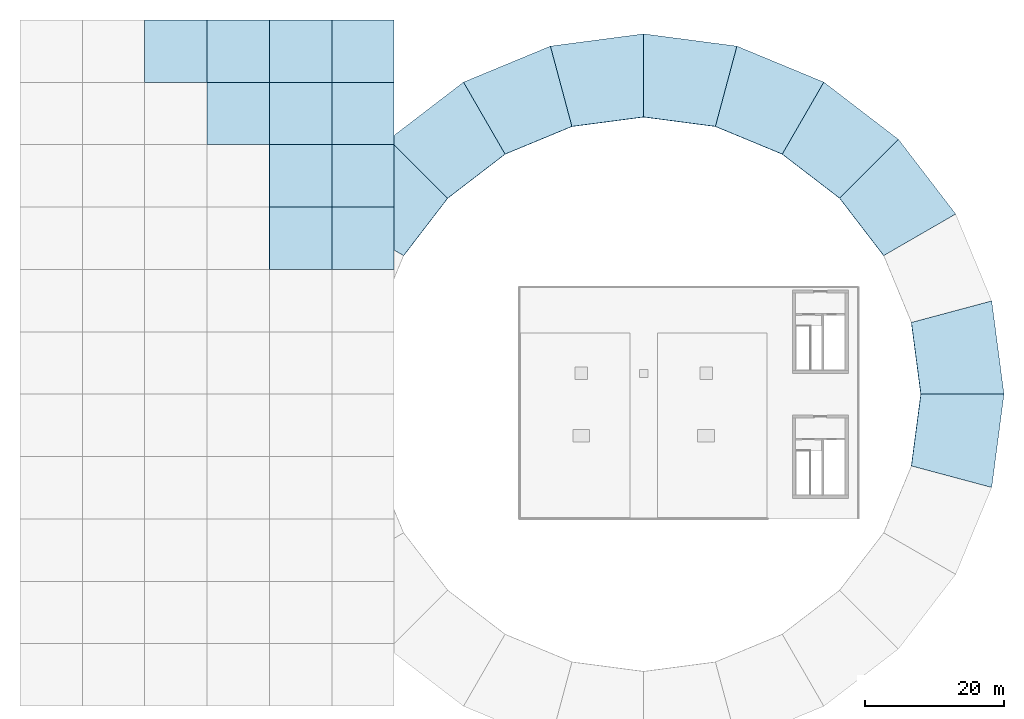
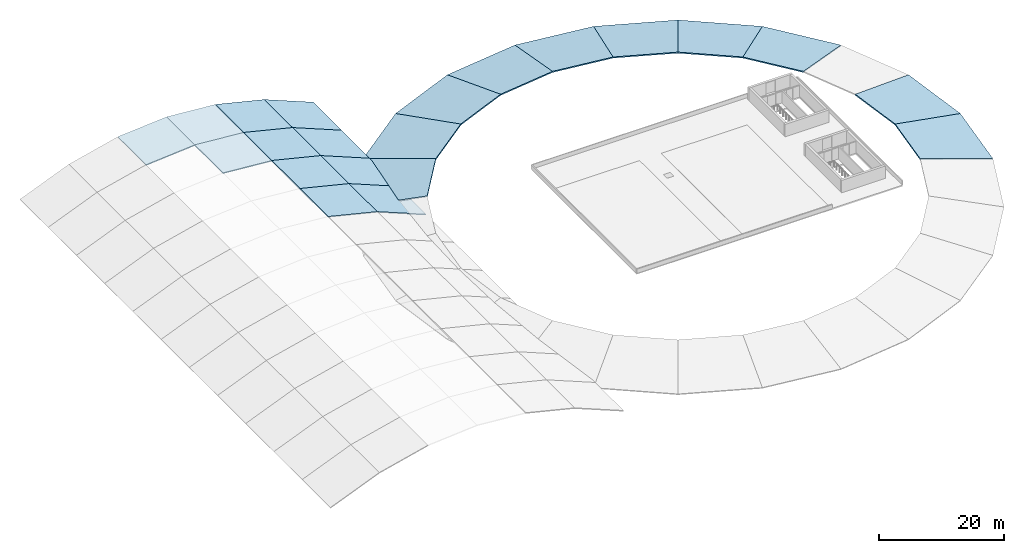
# One storey, part 3 of 4: 21 roofs.
"""IFC4 building model written with IfcOpenShell, lengths in metres."""

from ifc_helpers import new_model, si_unit, direction, frame, origin, place, context, subcontext, project, spatial, polyline, outline, extrude, material, layer, layer_set, type_object, element, save


model = new_model("IFC4")

# Units and contexts
model_context = context("Model", 3, precision=1e-05, world=origin(), true_north=direction((0.0, 1.0)))
body_context = subcontext(model_context, "Body", "Model", "MODEL_VIEW")
ifc_project = project(units=[si_unit("LENGTHUNIT", "METRE"), si_unit("AREAUNIT", "SQUARE_METRE"), si_unit("VOLUMEUNIT", "CUBIC_METRE"), si_unit("PLANEANGLEUNIT", "RADIAN"), si_unit("MASSUNIT", "GRAM", prefix="KILO")], contexts=[model_context])

# Site, building, storey
site_placement = place(None, origin())
site = spatial("IfcSite", under=ifc_project, at=site_placement, CompositionType="ELEMENT")
building_placement = place(site_placement, origin())
building = spatial("IfcBuilding", under=site, at=building_placement, Name="Dornveld Trade and Exhibition Forum", CompositionType="ELEMENT")
storey_placement = place(building_placement, frame((0.0, 0.0, 26.39990234375)))
storey = spatial("IfcBuildingStorey", under=building, at=storey_placement, Name="RF", CompositionType="ELEMENT", Elevation=26.39990234375)

# Roofs
ifc_material_1 = material(Name="Steel S355J2", Category="steel")
ifc_layer_1 = layer(ifc_material_1, 0.179931640625)
ifc_layer_set_1 = layer_set([ifc_layer_1], Name="Steel S355J2")
roof_type_1 = type_object("IfcRoofType", Name="RF-ARCH-HALL3", PredefinedType="BARREL_ROOF", material=ifc_layer_set_1)
roof_1_placement = place(storey_placement, frame((63.0, 99.0, 1.786865234375), z_axis=(0.237448117444, 0.0, 0.971400222114), x_axis=(0.971400222114, 0.0, -0.237448117444)))
element("IfcRoof", 1, at=roof_1_placement, inside=storey, type_object=roof_type_1, Name="H3 arched roof bay 8 facet 5", PredefinedType="BARREL_ROOF", context=body_context, shape_type="SweptSolid", body=[
    extrude(outline(polyline([(0.0, 0.0), (9.264976263252604, 0.0), (9.264976263252604, 9.0), (0.0, 9.0), (0.0, 0.0)])), origin(), (0.0, 0.0, -1.0), 0.179931640625),
])
roof_2_placement = place(storey_placement, frame((72.0, 99.0, -0.4130859375), z_axis=(0.377304069177, 0.0, 0.926089433793), x_axis=(0.926089433793, 0.0, -0.377304069177)))
element("IfcRoof", 2, at=roof_2_placement, inside=storey, type_object=roof_type_1, Name="H3 arched roof bay 8 facet 6", PredefinedType="BARREL_ROOF", context=body_context, shape_type="SweptSolid", body=[
    extrude(outline(polyline([(0.0, 0.0), (9.718283862867025, 0.0), (9.718283862867025, 9.0), (0.0, 9.0), (0.0, 0.0)])), origin(), (0.0, 0.0, -1.0), 0.179931640625),
])
roof_3_placement = place(storey_placement, frame((63.0, 108.0, 1.786865234375), z_axis=(0.237448117444, 0.0, 0.971400222114), x_axis=(0.971400222114, 0.0, -0.237448117444)))
element("IfcRoof", 3, at=roof_3_placement, inside=storey, type_object=roof_type_1, Name="H3 arched roof bay 9 facet 5", PredefinedType="BARREL_ROOF", context=body_context, shape_type="SweptSolid", body=[
    extrude(outline(polyline([(0.0, 0.0), (9.264976263252604, 0.0), (9.264976263252604, 9.0), (0.0, 9.0), (0.0, 0.0)])), origin(), (0.0, 0.0, -1.0), 0.179931640625),
])
roof_4_placement = place(storey_placement, frame((72.0, 108.0, -0.4130859375), z_axis=(0.377304069177, 0.0, 0.926089433793), x_axis=(0.926089433793, 0.0, -0.377304069177)))
element("IfcRoof", 4, at=roof_4_placement, inside=storey, type_object=roof_type_1, Name="H3 arched roof bay 9 facet 6", PredefinedType="BARREL_ROOF", context=body_context, shape_type="SweptSolid", body=[
    extrude(outline(polyline([(0.0, 0.0), (9.718283862867025, 0.0), (9.718283862867025, 9.0), (0.0, 9.0), (0.0, 0.0)])), origin(), (0.0, 0.0, -1.0), 0.179931640625),
])
roof_5_placement = place(storey_placement, frame((54.0, 117.0, 2.52001953125), z_axis=(0.081192637213, 0.0, 0.996698427641), x_axis=(0.996698427641, 0.0, -0.081192637213)))
element("IfcRoof", 5, at=roof_5_placement, inside=storey, type_object=roof_type_1, Name="H3 arched roof bay 10 facet 4", PredefinedType="BARREL_ROOF", context=body_context, shape_type="SweptSolid", body=[
    extrude(outline(polyline([(0.0, 0.0), (9.029812579617934, 0.0), (9.029812579617934, 9.0), (0.0, 9.0), (0.0, 0.0)])), origin(), (0.0, 0.0, -1.0), 0.179931640625),
])
roof_6_placement = place(storey_placement, frame((63.0, 117.0, 1.786865234375), z_axis=(0.237448117444, 0.0, 0.971400222114), x_axis=(0.971400222114, 0.0, -0.237448117444)))
element("IfcRoof", 6, at=roof_6_placement, inside=storey, type_object=roof_type_1, Name="H3 arched roof bay 10 facet 5", PredefinedType="BARREL_ROOF", context=body_context, shape_type="SweptSolid", body=[
    extrude(outline(polyline([(0.0, 0.0), (9.264976263252604, 0.0), (9.264976263252604, 9.0), (0.0, 9.0), (0.0, 0.0)])), origin(), (0.0, 0.0, -1.0), 0.179931640625),
])
roof_7_placement = place(storey_placement, frame((72.0, 117.0, -0.4130859375), z_axis=(0.377304069177, 0.0, 0.926089433793), x_axis=(0.926089433793, 0.0, -0.377304069177)))
element("IfcRoof", 7, at=roof_7_placement, inside=storey, type_object=roof_type_1, Name="H3 arched roof bay 10 facet 6", PredefinedType="BARREL_ROOF", context=body_context, shape_type="SweptSolid", body=[
    extrude(outline(polyline([(0.0, 0.0), (9.718283862867025, 0.0), (9.718283862867025, 9.0), (0.0, 9.0), (0.0, 0.0)])), origin(), (0.0, 0.0, -1.0), 0.179931640625),
])
for number, where, z_axis, x_axis, name in (
    (8, (45.0, 126.0, 1.786865234375), (-0.081192637213, 0.0, 0.996698427641), (0.996698427641, 0.0, 0.081192637213), "H3 arched roof bay 11 facet 3"),
    (9, (54.0, 126.0, 2.52001953125), (0.081192637213, 0.0, 0.996698427641), (0.996698427641, 0.0, -0.081192637213), "H3 arched roof bay 11 facet 4"),
):
    element("IfcRoof", number, at=place(storey_placement, frame(where, z_axis=z_axis, x_axis=x_axis)), inside=storey, type_object=roof_type_1, Name=name, PredefinedType="BARREL_ROOF", context=body_context, shape_type="SweptSolid", body=[
        extrude(outline(polyline([(0.0, 0.0), (9.029812579617934, 0.0), (9.029812579617934, 9.0), (0.0, 9.0), (0.0, 0.0)])), origin(), (0.0, 0.0, -1.0), 0.179931640625),
    ])
roof_8_placement = place(storey_placement, frame((63.0, 126.0, 1.786865234375), z_axis=(0.237448117444, 0.0, 0.971400222114), x_axis=(0.971400222114, 0.0, -0.237448117444)))
element("IfcRoof", 10, at=roof_8_placement, inside=storey, type_object=roof_type_1, Name="H3 arched roof bay 11 facet 5", PredefinedType="BARREL_ROOF", context=body_context, shape_type="SweptSolid", body=[
    extrude(outline(polyline([(0.0, 0.0), (9.264976263252604, 0.0), (9.264976263252604, 9.0), (0.0, 9.0), (0.0, 0.0)])), origin(), (0.0, 0.0, -1.0), 0.179931640625),
])
roof_9_placement = place(storey_placement, frame((72.0, 126.0, -0.4130859375), z_axis=(0.377304069177, 0.0, 0.926089433793), x_axis=(0.926089433793, 0.0, -0.377304069177)))
element("IfcRoof", 11, at=roof_9_placement, inside=storey, type_object=roof_type_1, Name="H3 arched roof bay 11 facet 6", PredefinedType="BARREL_ROOF", context=body_context, shape_type="SweptSolid", body=[
    extrude(outline(polyline([(0.0, 0.0), (9.718283862867025, 0.0), (9.718283862867025, 9.0), (0.0, 9.0), (0.0, 0.0)])), origin(), (0.0, 0.0, -1.0), 0.179931640625),
])
ifc_material_2 = material(Name="Steel S355J2", Category="steel")
ifc_layer_2 = layer(ifc_material_2, 0.199951171875)
ifc_layer_set_2 = layer_set([ifc_layer_2], Name="Steel S355J2")
roof_type_2 = type_object("IfcRoofType", Name="RF-DISC-BRIM", PredefinedType="PAVILION_ROOF", material=ifc_layer_set_2)
roof_10_placement = place(storey_placement, frame((157.0, 81.0, -2.199951171875), z_axis=(0.17630338495, 0.02321222756, 0.984062146893), x_axis=(0.984327364134, -5.909e-09, -0.176350900811)))
element("IfcRoof", 12, at=roof_10_placement, inside=storey, type_object=roof_type_2, Name="Floating roof disc brim sector 1", PredefinedType="PAVILION_ROOF", context=body_context, shape_type="SweptSolid", body=[
    extrude(outline(polyline([(0.0, 0.0), (12.19106558458497, -6.938893903907228e-18), (10.44686433101471, 13.462123390721686), (-1.3416747862624565, 10.355573329388308), (0.0, 0.0)])), origin(), (0.0, 0.0, -1.0), 0.199951171875),
])
roof_11_placement = place(storey_placement, frame((151.64111328125, 101.0, -2.199951171875), z_axis=(0.141077398756, 0.108253819664, 0.984062131213), x_axis=(0.852448017194, 0.4921713307, -0.176351238213)))
element("IfcRoof", 13, at=roof_11_placement, inside=storey, type_object=roof_type_2, Name="Floating roof disc brim sector 3", PredefinedType="PAVILION_ROOF", context=body_context, shape_type="SweptSolid", body=[
    extrude(outline(polyline([(0.0, 0.0), (12.190882306362417, -8.187894806610529e-16), (10.446986128107852, 13.462165588091995), (-1.3417196968688119, 10.355579465414563), (0.0, 0.0)])), origin(), (0.0, 0.0, -1.0), 0.199951171875),
])
roof_12_placement = place(storey_placement, frame((145.2841796875, 109.2841796875, -2.199951171875), z_axis=(0.108253819664, 0.141077398756, 0.984062131213), x_axis=(0.696024537894, 0.696024469072, -0.176351300258)))
element("IfcRoof", 14, at=roof_12_placement, inside=storey, type_object=roof_type_2, Name="Floating roof disc brim sector 4", PredefinedType="PAVILION_ROOF", context=body_context, shape_type="SweptSolid", body=[
    extrude(outline(polyline([(0.0, 0.0), (12.19116329008232, -9.992007221626409e-16), (10.44702310784836, 13.462133977436714), (-1.341411009307099, 10.355619455811961), (0.0, 0.0)])), origin(), (0.0, 0.0, -1.0), 0.199951171875),
])
roof_13_placement = place(storey_placement, frame((137.0, 115.64111328125, -2.199951171875), z_axis=(0.068050027389, 0.164290788663, 0.984061853002), x_axis=(0.492171171167, 0.852447884229, -0.17635232617)))
element("IfcRoof", 15, at=roof_13_placement, inside=storey, type_object=roof_type_2, Name="Floating roof disc brim sector 5", PredefinedType="PAVILION_ROOF", context=body_context, shape_type="SweptSolid", body=[
    extrude(outline(polyline([(0.0, 0.0), (12.190882306383228, 1.5265566588595902e-16), (10.44663255487167, 13.462284787449766), (-1.3418284442047708, 10.355438303269759), (0.0, 0.0)])), origin(), (0.0, 0.0, -1.0), 0.199951171875),
])
roof_14_placement = place(storey_placement, frame((127.352783203125, 119.636962890625, -2.199951171875), z_axis=(0.02321222756, 0.17630338495, 0.984062146893), x_axis=(0.254754718424, 0.950789250609, -0.176351451278)))
element("IfcRoof", 16, at=roof_14_placement, inside=storey, type_object=roof_type_2, Name="Floating roof disc brim sector 6", PredefinedType="PAVILION_ROOF", context=body_context, shape_type="SweptSolid", body=[
    extrude(outline(polyline([(0.0, 0.0), (12.190992896525875, 6.938893903907228e-18), (10.447150067689071, 13.462169824671154), (-1.3414593380408333, 10.355601240720594), (0.0, 0.0)])), origin(), (0.0, 0.0, -1.0), 0.199951171875),
])
roof_15_placement = place(storey_placement, frame((117.0, 121.0, -2.199951171875), z_axis=(-0.02321222756, 0.17630338495, 0.984062146893), x_axis=(5.909e-09, 0.984327364134, -0.176350900811)))
element("IfcRoof", 17, at=roof_15_placement, inside=storey, type_object=roof_type_2, Name="Floating roof disc brim sector 7", PredefinedType="PAVILION_ROOF", context=body_context, shape_type="SweptSolid", body=[
    extrude(outline(polyline([(0.0, 0.0), (12.19106558458497, -6.938893903907228e-18), (10.44686433101471, 13.462123390721686), (-1.3416747862624565, 10.355573329388308), (0.0, 0.0)])), origin(), (0.0, 0.0, -1.0), 0.199951171875),
])
roof_16_placement = place(storey_placement, frame((106.647216796875, 119.636962890625, -2.199951171875), z_axis=(-0.068050027389, 0.164290788663, 0.984061853002), x_axis=(-0.254754645065, 0.950789042886, -0.176352677174)))
element("IfcRoof", 18, at=roof_16_placement, inside=storey, type_object=roof_type_2, Name="Floating roof disc brim sector 8", PredefinedType="PAVILION_ROOF", context=body_context, shape_type="SweptSolid", body=[
    extrude(outline(polyline([(0.0, 0.0), (12.190992896520282, -3.400058012914542e-16), (10.4468173258295, 13.462294398528618), (-1.34153673466297, 10.355476097990534), (0.0, 0.0)])), origin(), (0.0, 0.0, -1.0), 0.199951171875),
])
roof_17_placement = place(storey_placement, frame((97.0, 115.64111328125, -2.199951171875), z_axis=(-0.108253819664, 0.141077398756, 0.984062131213), x_axis=(-0.4921713307, 0.852448017194, -0.176351238213)))
element("IfcRoof", 19, at=roof_17_placement, inside=storey, type_object=roof_type_2, Name="Floating roof disc brim sector 9", PredefinedType="PAVILION_ROOF", context=body_context, shape_type="SweptSolid", body=[
    extrude(outline(polyline([(0.0, 0.0), (12.190882306362417, -8.187894806610529e-16), (10.446986128107852, 13.462165588091995), (-1.3417196968688119, 10.355579465414563), (0.0, 0.0)])), origin(), (0.0, 0.0, -1.0), 0.199951171875),
])
roof_18_placement = place(storey_placement, frame((88.7158203125, 109.2841796875, -2.199951171875), z_axis=(-0.141077398756, 0.108253819664, 0.984062131213), x_axis=(-0.696024469072, 0.696024537894, -0.176351300258)))
element("IfcRoof", 20, at=roof_18_placement, inside=storey, type_object=roof_type_2, Name="Floating roof disc brim sector 10", PredefinedType="PAVILION_ROOF", context=body_context, shape_type="SweptSolid", body=[
    extrude(outline(polyline([(0.0, 0.0), (12.19116329008232, -9.992007221626409e-16), (10.44702310784836, 13.462133977436714), (-1.341411009307099, 10.355619455811961), (0.0, 0.0)])), origin(), (0.0, 0.0, -1.0), 0.199951171875),
])
roof_19_placement = place(storey_placement, frame((155.636962890625, 70.647216796875, -2.199951171875), z_axis=(0.17630338495, -0.02321222756, 0.984062146893), x_axis=(0.950789250609, -0.254754718424, -0.176351451278)))
element("IfcRoof", 21, at=roof_19_placement, inside=storey, type_object=roof_type_2, Name="Floating roof disc brim sector 24", PredefinedType="PAVILION_ROOF", context=body_context, shape_type="SweptSolid", body=[
    extrude(outline(polyline([(0.0, 0.0), (12.190992896525875, 6.938893903907228e-18), (10.447150067689071, 13.462169824671154), (-1.3414593380408333, 10.355601240720594), (0.0, 0.0)])), origin(), (0.0, 0.0, -1.0), 0.199951171875),
])

save(model, "model.ifc")
